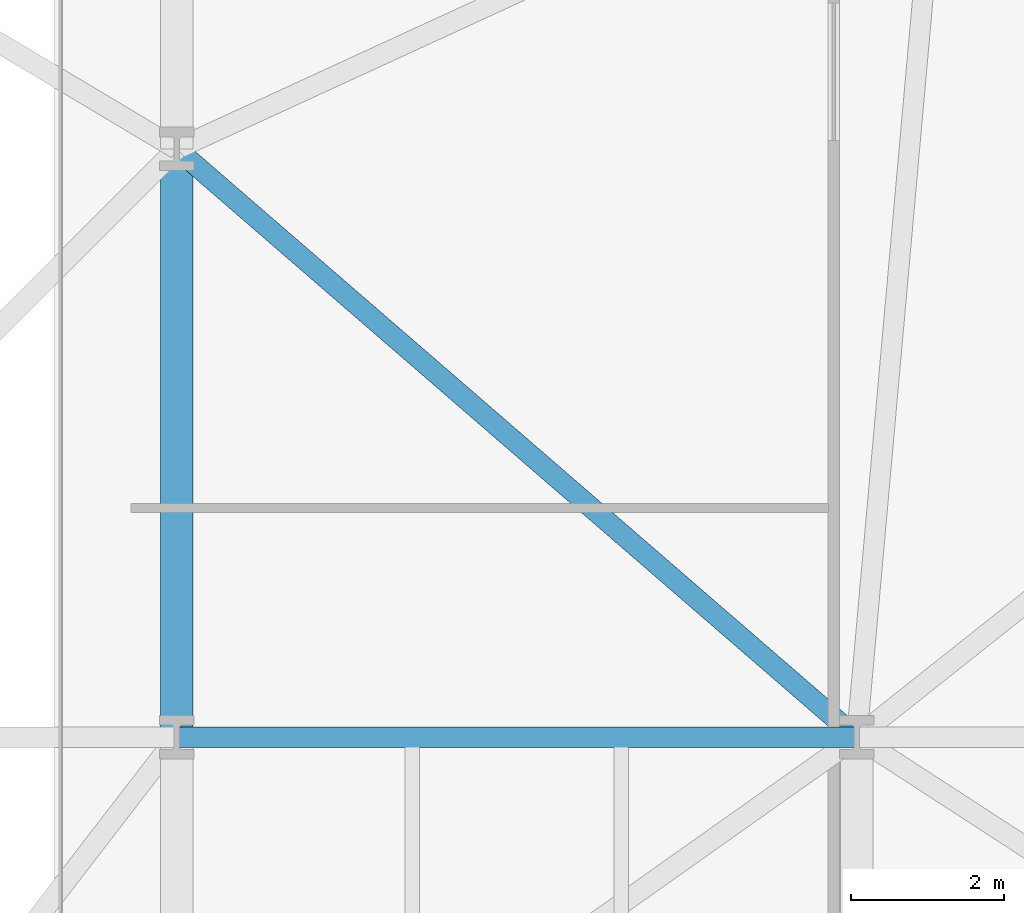
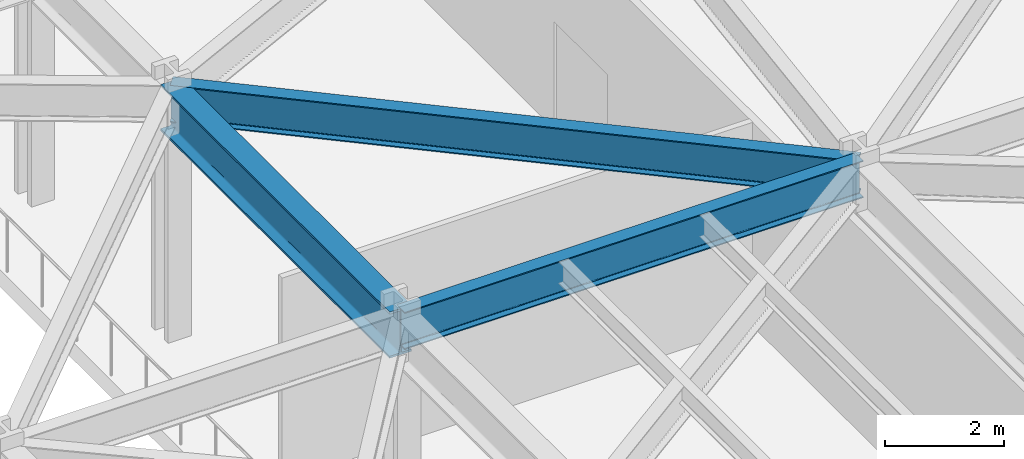
# One storey, part 8 of 31: 3 beams.
"""IFC4 building model written with IfcOpenShell, lengths in metres."""

from ifc_helpers import new_model, si_unit, direction, frame, origin, origin_2d, place, context, subcontext, project, spatial, i_section, extrude, material, material_profile, profile_set, type_object, element, save


model = new_model("IFC4")

# Units and contexts
model_context = context("Model", 3, precision=1e-05, world=origin(), true_north=direction((0.0, 1.0)))
body_context = subcontext(model_context, "Body", "Model", "MODEL_VIEW")
ifc_project = project(units=[si_unit("LENGTHUNIT", "METRE"), si_unit("AREAUNIT", "SQUARE_METRE"), si_unit("VOLUMEUNIT", "CUBIC_METRE"), si_unit("PLANEANGLEUNIT", "RADIAN"), si_unit("MASSUNIT", "GRAM", prefix="KILO")], contexts=[model_context])

# Site, building, storey
site_placement = place(None, origin())
site = spatial("IfcSite", under=ifc_project, at=site_placement, CompositionType="ELEMENT")
building_placement = place(site_placement, origin())
building = spatial("IfcBuilding", under=site, at=building_placement, Name="Kravanh Interchange Tower", CompositionType="ELEMENT")
storey_placement = place(building_placement, origin())
storey = spatial("IfcBuildingStorey", under=building, at=storey_placement, Name="L00", CompositionType="ELEMENT", Elevation=0.0)

# Beams
ifc_material_1 = material(Name="Structural Steel S450", Category="steel")
ifc_material_profile_1 = material_profile(ifc_material_1, i_section(OverallWidth=0.423095703125, OverallDepth=0.947998046875, WebThickness=0.02392578125, FlangeThickness=0.042724609375, FilletRadius=0.028076171875, at=origin_2d()), Name="W36X302")
ifc_profile_set_1 = profile_set([ifc_material_profile_1], Name="Structural Steel S450")
beam_type_1 = type_object("IfcBeamType", Name="Floor Beam W36X302 Structural Steel S450", PredefinedType="BEAM", material=ifc_profile_set_1)
beam_1_placement = place(storey_placement, frame((8.60009765625, 14.5, 4.656005859375), z_axis=(0.0, 1.0, 0.0), x_axis=(-1.0, 0.0, 0.0)))
element("IfcBeam", 1, at=beam_1_placement, inside=storey, type_object=beam_type_1, Name="L00 Primary Floor Girder 37", PredefinedType="BEAM", context=body_context, shape_type="SweptSolid", body=[
    extrude(i_section(OverallWidth=0.423095703125, OverallDepth=0.947998046875, WebThickness=0.02392578125, FlangeThickness=0.042724609375, FilletRadius=0.028076171875, at=origin_2d()), origin(), (0.0, 0.0, 1.0), 7.699951171875),
])
ifc_material_2 = material(Name="Structural Steel S355", Category="steel")
ifc_material_profile_2 = material_profile(ifc_material_2, i_section(OverallWidth=0.26708984375, OverallDepth=0.761962890625, WebThickness=0.014404296875, FlangeThickness=0.021484375, FilletRadius=0.02490234375, at=origin_2d()), Name="W30X116")
ifc_profile_set_2 = profile_set([ifc_material_profile_2], Name="Structural Steel S355")
beam_type_2 = type_object("IfcBeamType", Name="Floor Spandrel W30X116 Structural Steel S355", PredefinedType="SPANDREL", material=ifc_profile_set_2)
beam_2_placement = place(storey_placement, frame((8.60009765625, 14.5, 4.7490234375), z_axis=(1.0, 0.0, 0.0), x_axis=(0.0, 1.0, 0.0)))
element("IfcBeam", 2, at=beam_2_placement, inside=storey, type_object=beam_type_2, Name="L00 Perimeter Spandrel 39", PredefinedType="SPANDREL", context=body_context, shape_type="SweptSolid", body=[
    extrude(i_section(OverallWidth=0.26708984375, OverallDepth=0.761962890625, WebThickness=0.014404296875, FlangeThickness=0.021484375, FilletRadius=0.02490234375, at=origin_2d()), origin(), (0.0, 0.0, 1.0), 8.89990234375),
])
beam_3_placement = place(storey_placement, frame((17.5, 14.5, 4.7490234375), z_axis=(-0.756248034465, 0.654285037554, 0.0), x_axis=(-0.654285037554, -0.756248034465, 0.0)))
element("IfcBeam", 3, at=beam_3_placement, inside=storey, type_object=beam_type_2, Name="L00 Perimeter Spandrel 42", PredefinedType="SPANDREL", context=body_context, shape_type="SweptSolid", body=[
    extrude(i_section(OverallWidth=0.26708984375, OverallDepth=0.761962890625, WebThickness=0.014404296875, FlangeThickness=0.021484375, FilletRadius=0.02490234375, at=origin_2d()), origin(), (0.0, 0.0, 1.0), 11.7685546875),
])

save(model, "model.ifc")
